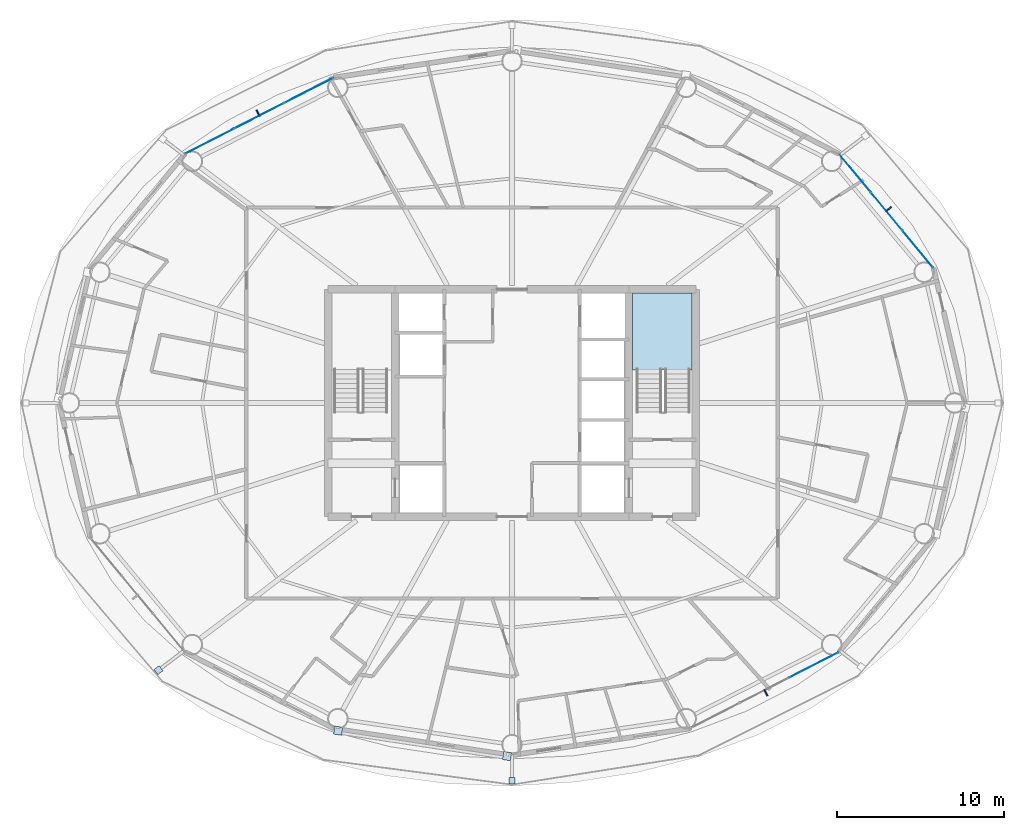
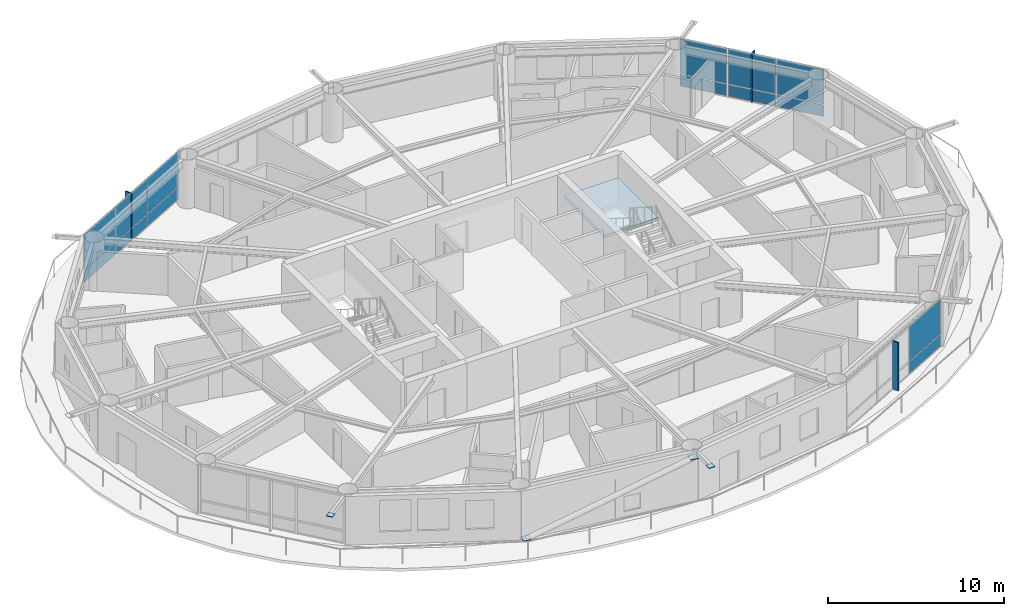
# One storey, part 19 of 28: 21 plates, 1 slab, 4 elements without a shape of their own.
"""IFC4 building model written with IfcOpenShell, lengths in metres."""

from ifc_helpers import new_model, si_unit, direction, frame, origin, origin_2d, place, context, subcontext, project, spatial, polyline, rectangle, outline, extrude, material, layer, layer_set, type_object, element, aggregate, save


model = new_model("IFC4")

# Units and contexts
model_context = context("Model", 3, precision=1e-05, world=origin(), true_north=direction((0.0, 1.0)))
body_context = subcontext(model_context, "Body", "Model", "MODEL_VIEW")
ifc_project = project(units=[si_unit("LENGTHUNIT", "METRE"), si_unit("AREAUNIT", "SQUARE_METRE"), si_unit("VOLUMEUNIT", "CUBIC_METRE"), si_unit("PLANEANGLEUNIT", "RADIAN"), si_unit("MASSUNIT", "GRAM", prefix="KILO")], contexts=[model_context])

# Site, building, storey
site_placement = place(None, origin())
site = spatial("IfcSite", under=ifc_project, at=site_placement, CompositionType="ELEMENT")
building_placement = place(site_placement, origin())
building = spatial("IfcBuilding", under=site, at=building_placement, Name="Sarneth Arch Tower", CompositionType="ELEMENT")
storey_placement = place(building_placement, frame((0.0, 0.0, 183.0)))
storey = spatial("IfcBuildingStorey", under=building, at=storey_placement, Name="L46", CompositionType="ELEMENT", Elevation=183.0)

# Curtain wall, plates
ifc_material_1 = material(Name="Anodised aluminium Type AA25 and solar-control low-e laminated IGU", Category="aluminium")
ifc_layer_1 = layer(ifc_material_1, 0.169921875)
ifc_layer_set_1 = layer_set([ifc_layer_1], Name="Anodised aluminium Type AA25 and solar-control low-e laminated IGU")
curtain_wall_type = type_object("IfcCurtainWallType", Name="CW-RES-MID", PredefinedType="NOTDEFINED", material=ifc_layer_set_1)
curtain_wall_1_placement = place(storey_placement, origin())
curtain_wall_1 = element("IfcCurtainWall", 1, at=curtain_wall_1_placement, inside=storey, type_object=curtain_wall_type, Name="L46 Unitised curtain wall facet 02", PredefinedType="NOTDEFINED")
ifc_material_2 = material(Name="Solar-control low-e laminated IGU", Category="glass")
ifc_layer_2 = layer(ifc_material_2, 0.028076171875)
ifc_layer_set_2 = layer_set([ifc_layer_2], Name="Solar-control low-e laminated IGU")
plate_type_1 = type_object("IfcPlateType", Name="CW-PANEL", PredefinedType="CURTAIN_PANEL", material=ifc_layer_set_2)
plate_1_placement = place(storey_placement, frame((72.280029296875, 51.21826171875, 0.06005859375), z_axis=(0.0, 0.0, 1.0), x_axis=(-0.637330298558, 0.770590741276, 0.0)))
plate_1 = element("IfcPlate", 2, at=plate_1_placement, type_object=plate_type_1, Name="Curtain wall glazed vision pane CW-L46-F02/P00-00", PredefinedType="CURTAIN_PANEL", context=body_context, shape_type="SweptSolid", body=[
    extrude(rectangle(XDim=2.8681640625, YDim=0.028076171875, at=origin_2d()), origin(), (0.0, 0.0, 1.0), 0.81005859375),
])
plate_2_placement = place(storey_placement, frame((72.280029296875, 51.21826171875, 0.93017578125), z_axis=(0.0, 0.0, 1.0), x_axis=(-0.637330298558, 0.770590741276, 0.0)))
plate_2 = element("IfcPlate", 3, at=plate_2_placement, type_object=plate_type_1, Name="Curtain wall glazed vision pane CW-L46-F02/P00-01", PredefinedType="CURTAIN_PANEL", context=body_context, shape_type="SweptSolid", body=[
    extrude(rectangle(XDim=2.8681640625, YDim=0.028076171875, at=origin_2d()), origin(), (0.0, 0.0, 1.0), 2.389892578125),
])
plate_3_placement = place(storey_placement, frame((70.404296875, 53.486328125, 0.06005859375), z_axis=(0.0, 0.0, 1.0), x_axis=(-0.637330298558, 0.770590741276, 0.0)))
plate_3 = element("IfcPlate", 4, at=plate_3_placement, type_object=plate_type_1, Name="Curtain wall glazed vision pane CW-L46-F02/P01-00", PredefinedType="CURTAIN_PANEL", context=body_context, shape_type="SweptSolid", body=[
    extrude(rectangle(XDim=2.898193359375, YDim=0.028076171875, at=origin_2d()), origin(), (0.0, 0.0, 1.0), 0.81005859375),
])
plate_4_placement = place(storey_placement, frame((70.404296875, 53.486328125, 0.93017578125), z_axis=(0.0, 0.0, 1.0), x_axis=(-0.637330298558, 0.770590741276, 0.0)))
plate_4 = element("IfcPlate", 5, at=plate_4_placement, type_object=plate_type_1, Name="Curtain wall glazed vision pane CW-L46-F02/P01-01", PredefinedType="CURTAIN_PANEL", context=body_context, shape_type="SweptSolid", body=[
    extrude(rectangle(XDim=2.898193359375, YDim=0.028076171875, at=origin_2d()), origin(), (0.0, 0.0, 1.0), 2.389892578125),
])
plate_5_placement = place(storey_placement, frame((68.5283203125, 55.75439453125, 0.06005859375), z_axis=(0.0, 0.0, 1.0), x_axis=(-0.637330298558, 0.770590741276, 0.0)))
plate_5 = element("IfcPlate", 6, at=plate_5_placement, type_object=plate_type_1, Name="Curtain wall glazed vision pane CW-L46-F02/P02-00", PredefinedType="CURTAIN_PANEL", context=body_context, shape_type="SweptSolid", body=[
    extrude(rectangle(XDim=2.8681640625, YDim=0.028076171875, at=origin_2d()), origin(), (0.0, 0.0, 1.0), 0.81005859375),
])
plate_6_placement = place(storey_placement, frame((68.5283203125, 55.75439453125, 0.93017578125), z_axis=(0.0, 0.0, 1.0), x_axis=(-0.637330298558, 0.770590741276, 0.0)))
plate_6 = element("IfcPlate", 7, at=plate_6_placement, type_object=plate_type_1, Name="Curtain wall glazed vision pane CW-L46-F02/P02-01", PredefinedType="CURTAIN_PANEL", context=body_context, shape_type="SweptSolid", body=[
    extrude(rectangle(XDim=2.8681640625, YDim=0.028076171875, at=origin_2d()), origin(), (0.0, 0.0, 1.0), 2.389892578125),
])
aggregate(curtain_wall_1, [plate_1, plate_2, plate_3, plate_4, plate_5, plate_6])

curtain_wall_2_placement = place(storey_placement, origin())
curtain_wall_2 = element("IfcCurtainWall", 8, at=curtain_wall_2_placement, inside=storey, type_object=curtain_wall_type, Name="L46 Unitised curtain wall facet 06", PredefinedType="NOTDEFINED")
plate_7_placement = place(storey_placement, frame((35.83837890625, 60.70703125, 0.06005859375), z_axis=(0.0, 0.0, 1.0), x_axis=(-0.88987293003, -0.456208470329, 0.0)))
plate_7 = element("IfcPlate", 9, at=plate_7_placement, type_object=plate_type_1, Name="Curtain wall glazed vision pane CW-L46-F06/P00-00", PredefinedType="CURTAIN_PANEL", context=body_context, shape_type="SweptSolid", body=[
    extrude(rectangle(XDim=3.248779296875, YDim=0.028076171875, at=origin_2d()), origin(), (0.0, 0.0, 1.0), 0.81005859375),
])
plate_8_placement = place(storey_placement, frame((35.83837890625, 60.70703125, 0.93017578125), z_axis=(0.0, 0.0, 1.0), x_axis=(-0.88987293003, -0.456208470329, 0.0)))
plate_8 = element("IfcPlate", 10, at=plate_8_placement, type_object=plate_type_1, Name="Curtain wall glazed vision pane CW-L46-F06/P00-01", PredefinedType="CURTAIN_PANEL", context=body_context, shape_type="SweptSolid", body=[
    extrude(rectangle(XDim=3.248779296875, YDim=0.028076171875, at=origin_2d()), origin(), (0.0, 0.0, 1.0), 2.389892578125),
])
plate_9_placement = place(storey_placement, frame((32.880615234375, 59.190673828125, 0.06005859375), z_axis=(0.0, 0.0, 1.0), x_axis=(-0.88987293003, -0.456208470329, 0.0)))
plate_9 = element("IfcPlate", 11, at=plate_9_placement, type_object=plate_type_1, Name="Curtain wall glazed vision pane CW-L46-F06/P01-00", PredefinedType="CURTAIN_PANEL", context=body_context, shape_type="SweptSolid", body=[
    extrude(rectangle(XDim=3.27880859375, YDim=0.028076171875, at=origin_2d()), origin(), (0.0, 0.0, 1.0), 0.81005859375),
])
plate_10_placement = place(storey_placement, frame((32.880615234375, 59.190673828125, 0.93017578125), z_axis=(0.0, 0.0, 1.0), x_axis=(-0.88987293003, -0.456208470329, 0.0)))
plate_10 = element("IfcPlate", 12, at=plate_10_placement, type_object=plate_type_1, Name="Curtain wall glazed vision pane CW-L46-F06/P01-01", PredefinedType="CURTAIN_PANEL", context=body_context, shape_type="SweptSolid", body=[
    extrude(rectangle(XDim=3.27880859375, YDim=0.028076171875, at=origin_2d()), origin(), (0.0, 0.0, 1.0), 2.389892578125),
])
plate_11_placement = place(storey_placement, frame((29.9228515625, 57.67431640625, 0.06005859375), z_axis=(0.0, 0.0, 1.0), x_axis=(-0.88987293003, -0.456208470329, 0.0)))
plate_11 = element("IfcPlate", 13, at=plate_11_placement, type_object=plate_type_1, Name="Curtain wall glazed vision pane CW-L46-F06/P02-00", PredefinedType="CURTAIN_PANEL", context=body_context, shape_type="SweptSolid", body=[
    extrude(rectangle(XDim=3.248779296875, YDim=0.028076171875, at=origin_2d()), origin(), (0.0, 0.0, 1.0), 0.81005859375),
])
plate_12_placement = place(storey_placement, frame((29.9228515625, 57.67431640625, 0.93017578125), z_axis=(0.0, 0.0, 1.0), x_axis=(-0.88987293003, -0.456208470329, 0.0)))
plate_12 = element("IfcPlate", 14, at=plate_12_placement, type_object=plate_type_1, Name="Curtain wall glazed vision pane CW-L46-F06/P02-01", PredefinedType="CURTAIN_PANEL", context=body_context, shape_type="SweptSolid", body=[
    extrude(rectangle(XDim=3.248779296875, YDim=0.028076171875, at=origin_2d()), origin(), (0.0, 0.0, 1.0), 2.389892578125),
])
aggregate(curtain_wall_2, [plate_7, plate_8, plate_9, plate_10, plate_11, plate_12])

curtain_wall_3_placement = place(storey_placement, origin())
curtain_wall_3 = element("IfcCurtainWall", 15, at=curtain_wall_3_placement, inside=storey, type_object=curtain_wall_type, Name="L46 Unitised curtain wall facet 14", PredefinedType="NOTDEFINED")
plate_13_placement = place(storey_placement, frame((66.0771484375, 26.32568359375, 0.06005859375), z_axis=(0.0, 0.0, 1.0), x_axis=(0.88987293003, 0.456208470329, 0.0)))
plate_13 = element("IfcPlate", 16, at=plate_13_placement, type_object=plate_type_1, Name="Curtain wall glazed vision pane CW-L46-F14/P02-00", PredefinedType="CURTAIN_PANEL", context=body_context, shape_type="SweptSolid", body=[
    extrude(rectangle(XDim=3.248779296875, YDim=0.028076171875, at=origin_2d()), origin(), (0.0, 0.0, 1.0), 0.81005859375),
])
plate_14_placement = place(storey_placement, frame((66.0771484375, 26.32568359375, 0.93017578125), z_axis=(0.0, 0.0, 1.0), x_axis=(0.88987293003, 0.456208470329, 0.0)))
plate_14 = element("IfcPlate", 17, at=plate_14_placement, type_object=plate_type_1, Name="Curtain wall glazed vision pane CW-L46-F14/P02-01", PredefinedType="CURTAIN_PANEL", context=body_context, shape_type="SweptSolid", body=[
    extrude(rectangle(XDim=3.248779296875, YDim=0.028076171875, at=origin_2d()), origin(), (0.0, 0.0, 1.0), 2.389892578125),
])
aggregate(curtain_wall_3, [plate_13, plate_14])

# Plates
ifc_material_3 = material(Name="Steel S355", Category="steel")
ifc_layer_3 = layer(ifc_material_3, 0.035888671875)
ifc_layer_set_3 = layer_set([ifc_layer_3], Name="Steel S355")
plate_type_2 = type_object("IfcPlateType", Name="PLT-GUSSET-30", PredefinedType="SHEET", material=ifc_layer_set_3)
plate_15_placement = place(storey_placement, frame((26.842529296875, 26.01025390625, 3.2021484375), z_axis=(0.0, 0.0, 1.0), x_axis=(-0.797794439539, -0.602929541689, 0.0)))
element("IfcPlate", 18, at=plate_15_placement, inside=storey, type_object=plate_type_2, Name="Steel end cap plate GP-1", PredefinedType="SHEET", context=body_context, shape_type="SweptSolid", body=[
    extrude(rectangle(XDim=0.3798828125, YDim=0.3798828125, at=origin_2d()), origin(), (0.0, 0.0, 1.0), 0.035888671875),
])
for number, where, z_axis, x_axis, name in (
    (19, (37.595703125, 22.387451171875, 0.001953125), (0.0, 0.0, 1.0), (0.98883454203, -0.149017611339, 0.0), "Steel end cap plate GP-1"),
    (20, (47.703369140625, 20.86474609375, 3.03271484375), (0.0, 0.0, 1.0), (0.98883454203, -0.149017611339, 0.0), "Steel end cap plate GP-1"),
):
    element("IfcPlate", number, at=place(storey_placement, frame(where, z_axis=z_axis, x_axis=x_axis)), inside=storey, type_object=plate_type_2, Name=name, PredefinedType="SHEET", context=body_context, shape_type="SweptSolid", body=[
        extrude(rectangle(XDim=0.486083984375, YDim=0.486083984375, at=origin_2d()), origin(), (0.0, 0.0, 1.0), 0.035888671875),
    ])
plate_16_placement = place(storey_placement, frame((48.0, 19.3974609375, 3.2021484375), z_axis=(0.0, 0.0, 1.0), x_axis=(0.0, -1.0, 0.0)))
element("IfcPlate", 21, at=plate_16_placement, inside=storey, type_object=plate_type_2, Name="Steel end cap plate GP-1", PredefinedType="SHEET", context=body_context, shape_type="SweptSolid", body=[
    extrude(rectangle(XDim=0.3798828125, YDim=0.3798828125, at=origin_2d()), origin(), (0.0, 0.0, 1.0), 0.035888671875),
])
ifc_material_4 = material(Name="Extruded glazed terracotta baguette fin on Aluminium 6063-T6 carrier", Category="masonry")
ifc_layer_4 = layer(ifc_material_4, 0.080078125)
ifc_layer_set_4 = layer_set([ifc_layer_4], Name="Extruded glazed terracotta baguette fin on Aluminium 6063-T6 carrier")
plate_type_3 = type_object("IfcPlateType", Name="SHADE-TERRA-FIN", PredefinedType="SHEET", material=ifc_layer_set_4)
for number, where, z_axis, x_axis, name in (
    (22, (70.53515625, 53.5947265625, 0.009765625), (0.0, 0.0, 1.0), (0.770624482513, 0.637289500111, 0.0), "L46 Terracotta vertical shading fin 02"),
    (23, (32.802978515625, 59.341796875, 0.009765625), (0.0, 0.0, 1.0), (-0.456166281949, 0.889894557357, 0.0), "L46 Terracotta vertical shading fin 06"),
    (24, (63.197021484375, 24.658203125, 0.009765625), (0.0, 0.0, 1.0), (0.456166281949, -0.889894557357, 0.0), "L46 Terracotta vertical shading fin 14"),
):
    element("IfcPlate", number, at=place(storey_placement, frame(where, z_axis=z_axis, x_axis=x_axis)), inside=storey, type_object=plate_type_3, Name=name, PredefinedType="SHEET", context=body_context, shape_type="SweptSolid", body=[
        extrude(rectangle(XDim=0.419921875, YDim=0.080078125, at=origin_2d()), origin(), (0.0, 0.0, 1.0), 3.360107421875),
    ])

# Stair, slab
ifc_material_5 = material(Name="Concrete C50/60", Category="concrete")
stair_type = type_object("IfcStairType", Name="STAIR-CORE-RC", PredefinedType="HALF_TURN_STAIR", material=ifc_material_5)
stair_placement = place(storey_placement, origin())
stair = element("IfcStair", 25, at=stair_placement, inside=storey, type_object=stair_type, Name="L46 Core Exit Stair 2", PredefinedType="HALF_TURN_STAIR")
ifc_material_6 = material(Name="Concrete C50/60", Category="concrete")
ifc_layer_5 = layer(ifc_material_6, 0.199951171875)
ifc_layer_set_5 = layer_set([ifc_layer_5], Name="Concrete C50/60")
slab_type = type_object("IfcSlabType", Name="SLAB-LANDING-200", PredefinedType="LANDING", material=ifc_layer_set_5)
slab_placement = place(storey_placement, frame((0.0, 0.0, 1.60009765625)))
slab = element("IfcSlab", 26, at=slab_placement, type_object=slab_type, Name="ST-2 landing 1", PredefinedType="LANDING", context=body_context, shape_type="SweptSolid", body=[
    extrude(outline(polyline([(55.22509765625, 43.985107421875), (58.77490234375, 43.985107421875), (58.77490234375, 48.574951171875), (55.22509765625, 48.574951171875), (55.22509765625, 43.985107421875)])), origin(), (0.0, 0.0, 1.0), 0.199951171875),
])
aggregate(stair, [slab])

save(model, "model.ifc")
